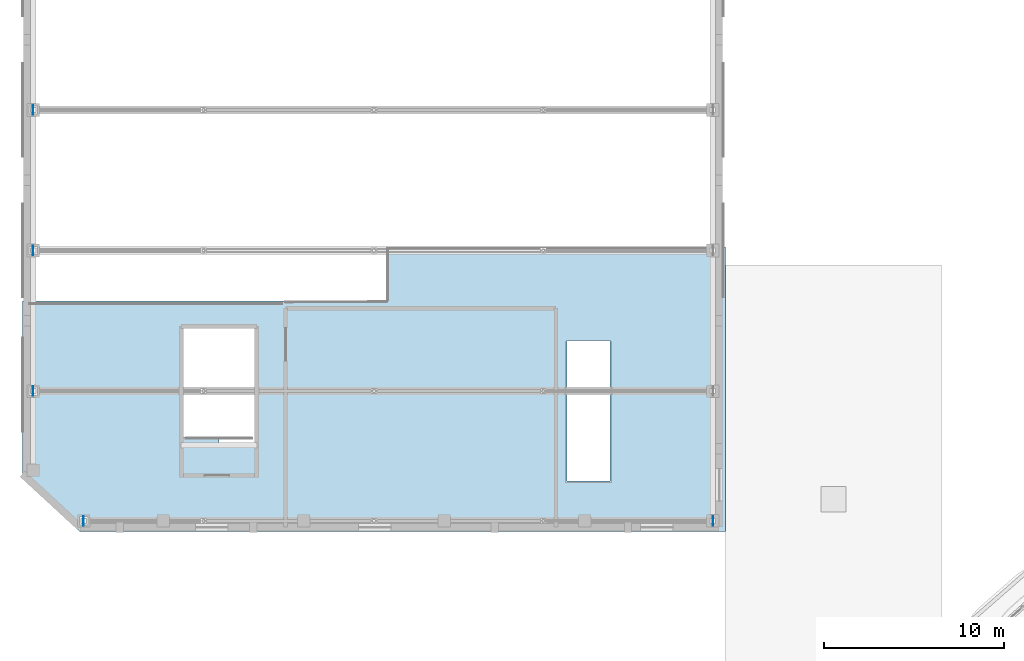
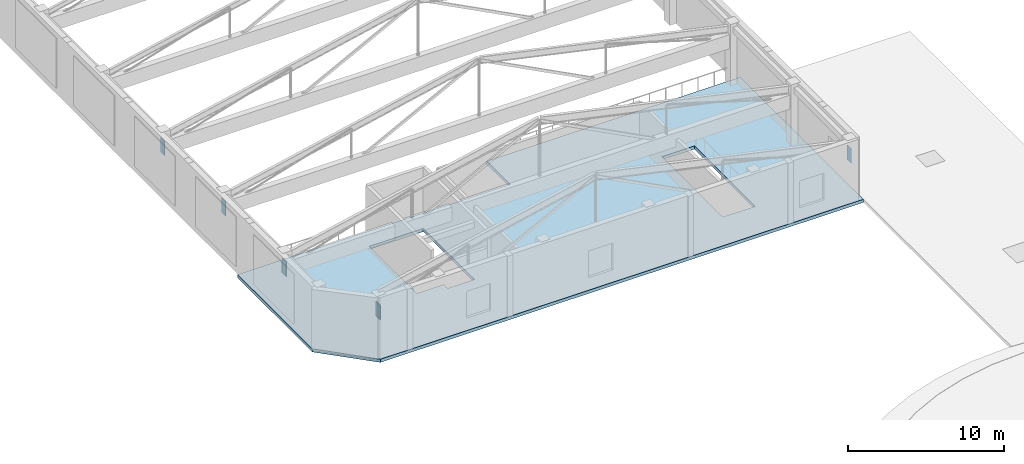
# One storey, part 73 of 105: 5 plates, 1 slab.
"""IFC4 building model written with IfcOpenShell, lengths in metres."""

from ifc_helpers import new_model, si_unit, direction, frame, origin, origin_2d, place, context, subcontext, project, spatial, polyline, rectangle, outline, extrude, material, layer, layer_set, type_object, element, save


model = new_model("IFC4")

# Units and contexts
model_context = context("Model", 3, precision=1e-05, world=origin(), true_north=direction((0.0, 1.0)))
body_context = subcontext(model_context, "Body", "Model", "MODEL_VIEW")
ifc_project = project(units=[si_unit("LENGTHUNIT", "METRE"), si_unit("AREAUNIT", "SQUARE_METRE"), si_unit("VOLUMEUNIT", "CUBIC_METRE"), si_unit("PLANEANGLEUNIT", "RADIAN"), si_unit("MASSUNIT", "GRAM", prefix="KILO")], contexts=[model_context])

# Site, building, storey
site_placement = place(None, origin())
site = spatial("IfcSite", under=ifc_project, at=site_placement, CompositionType="ELEMENT")
building_placement = place(site_placement, origin())
building = spatial("IfcBuilding", under=site, at=building_placement, Name="Pelvatis Terrace Science Centre", CompositionType="ELEMENT")
storey_placement = place(building_placement, frame((0.0, 0.0, 10.199951171875)))
storey = spatial("IfcBuildingStorey", under=building, at=storey_placement, Name="L02", CompositionType="ELEMENT", Elevation=10.199951171875)

# Plates
ifc_material_1 = material(Name="Structural steel S355", Category="steel")
ifc_layer_1 = layer(ifc_material_1, 1.139892578125)
ifc_layer_set_1 = layer_set([ifc_layer_1], Name="Structural steel S355")
plate_type = type_object("IfcPlateType", Name="PLT-CAP-BOX1100", PredefinedType="USERDEFINED", material=ifc_layer_set_1)
for number, where, z_axis, x_axis, name in (
    (1, (11.18798828125, 70.800048828125, 2.830078125), (0.0, 0.0, 1.0), (1.0, 0.0, 0.0), "Hollow box girder end cap plate 001"),
    (2, (46.112060546875, 70.800048828125, 2.830078125), (0.0, 0.0, 1.0), (1.0, 0.0, 0.0), "Hollow box girder end cap plate 002"),
    (3, (8.387939453125, 78.0, 2.830078125), (0.0, 0.0, 1.0), (1.0, 0.0, 0.0), "Hollow box girder end cap plate 003"),
    (4, (8.387939453125, 85.800048828125, 2.830078125), (0.0, 0.0, 1.0), (1.0, 0.0, 0.0), "Hollow box girder end cap plate 005"),
    (5, (8.387939453125, 93.60009765625, 2.830078125), (0.0, 0.0, 1.0), (1.0, 0.0, 0.0), "Hollow box girder end cap plate 007"),
):
    element("IfcPlate", number, at=place(storey_placement, frame(where, z_axis=z_axis, x_axis=x_axis)), inside=storey, type_object=plate_type, Name=name, ObjectType="CAP PLATE", PredefinedType="USERDEFINED", context=body_context, shape_type="SweptSolid", body=[
        extrude(rectangle(XDim=0.031982421875, YDim=0.52001953125, at=origin_2d()), origin(), (0.0, 0.0, 1.0), 1.139892578125),
    ])

# Slab
ifc_material_2 = material(Name="Concrete C35/45", Category="concrete")
ifc_layer_2 = layer(ifc_material_2, 0.2451171875)
ifc_layer_set_2 = layer_set([ifc_layer_2], Name="Concrete C35/45")
slab_type = type_object("IfcSlabType", Name="SLB-FLR-245", PredefinedType="FLOOR", material=ifc_layer_set_2)
slab_placement = place(storey_placement, frame((0.0, 0.0, -0.244873046875)))
element("IfcSlab", 6, at=slab_placement, inside=storey, type_object=slab_type, Name="L02 Theatre projection and upper balcony slab", PredefinedType="FLOOR", context=body_context, shape_type="SweptSolid", body=[
    extrude(outline(polyline([(7.800048828125, 83.0), (28.0, 83.0), (28.0, 86.0), (46.800048828125, 86.0), (46.800048828125, 70.199951171875), (11.0, 70.199951171875), (7.800048828125, 73.39990234375), (7.800048828125, 83.0)]), holes=[polyline([(38.0, 73.0), (40.39990234375, 73.0), (40.39990234375, 80.800048828125), (38.0, 80.800048828125), (38.0, 73.0)]), polyline([(16.699951171875, 75.419921875), (18.699951171875, 75.419921875), (18.699951171875, 74.919921875), (20.699951171875, 74.919921875), (20.699951171875, 81.5), (16.699951171875, 81.5), (16.699951171875, 75.419921875)])]), origin(), (0.0, 0.0, 1.0), 0.244873046875),
])

save(model, "model.ifc")
